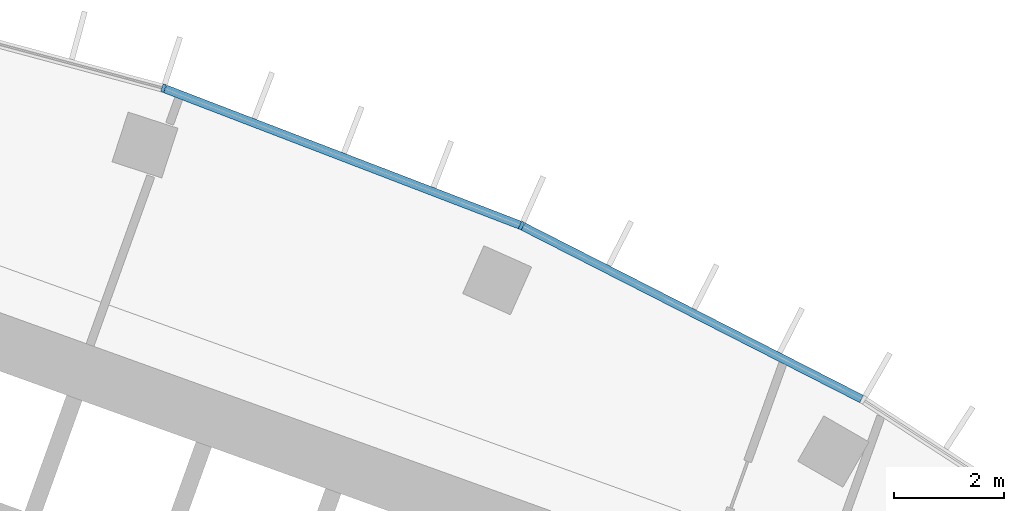
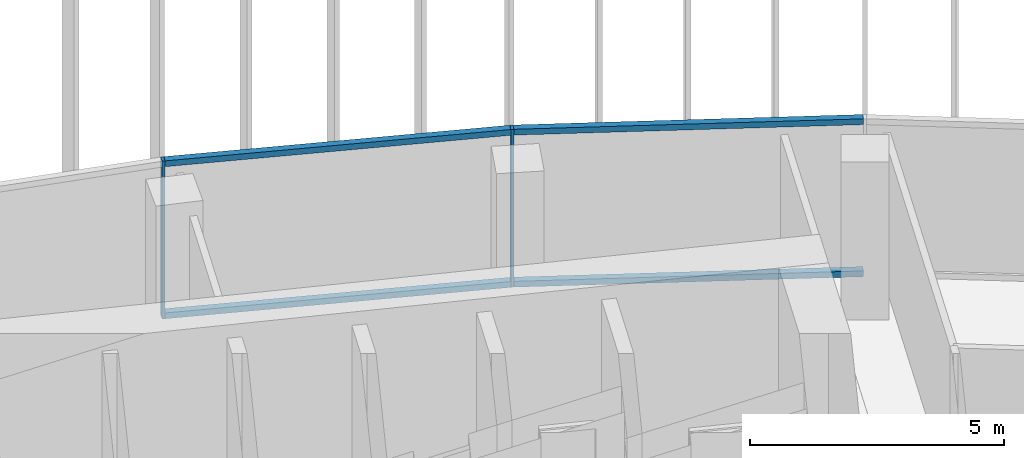
# One storey, part 10 of 19: 6 members, 1 element without a shape of its own.
"""IFC4 building model written with IfcOpenShell, lengths in metres."""

from ifc_helpers import new_model, si_unit, direction, frame, origin, origin_2d, place, context, subcontext, project, spatial, rectangle, extrude, material, layer, layer_set, material_profile, profile_set, type_object, element, aggregate, save


model = new_model("IFC4")

# Units and contexts
model_context = context("Model", 3, precision=1e-05, world=origin(), true_north=direction((0.0, 1.0)))
body_context = subcontext(model_context, "Body", "Model", "MODEL_VIEW")
ifc_project = project(units=[si_unit("LENGTHUNIT", "METRE"), si_unit("AREAUNIT", "SQUARE_METRE"), si_unit("VOLUMEUNIT", "CUBIC_METRE"), si_unit("PLANEANGLEUNIT", "RADIAN"), si_unit("MASSUNIT", "GRAM", prefix="KILO")], contexts=[model_context])

# Site, building, storey
site_placement = place(None, origin())
site = spatial("IfcSite", under=ifc_project, at=site_placement, CompositionType="ELEMENT")
building_placement = place(site_placement, origin())
building = spatial("IfcBuilding", under=site, at=building_placement, Name="Stone Belt Terrace Tower", CompositionType="ELEMENT")
storey_placement = place(building_placement, frame((0.0, 0.0, 223.800048828125)))
storey = spatial("IfcBuildingStorey", under=building, at=storey_placement, Name="L54", CompositionType="ELEMENT", Elevation=223.800048828125)

# Curtain wall, members
ifc_material = material(Name="Aluminium 6063-T6 anodised frame", Category="aluminium")
ifc_layer = layer(ifc_material, 0.14990234375)
ifc_layer_set = layer_set([ifc_layer], Name="CW-A unitised convex-face curtain wall")
curtain_wall_type = type_object("IfcCurtainWallType", Name="CW-A unitised convex-face curtain wall", PredefinedType="NOTDEFINED", material=ifc_layer_set)
curtain_wall_placement = place(storey_placement, origin())
curtain_wall = element("IfcCurtainWall", 1, at=curtain_wall_placement, inside=storey, type_object=curtain_wall_type, Name="CW-A convex face L54", PredefinedType="NOTDEFINED")
ifc_material_profile_1 = material_profile(ifc_material, rectangle(XDim=0.14990234375, YDim=0.06005859375, at=origin_2d()), Name="Aluminium 6063-T6 60x150")
ifc_profile_set_1 = profile_set([ifc_material_profile_1], Name="Aluminium 6063-T6 anodised frame")
member_type_1 = type_object("IfcMemberType", Name="CW-A mullion 60 x 150", PredefinedType="MULLION", material=ifc_profile_set_1)
member_1_placement = place(storey_placement, frame((27.07861328125, 60.8193359375, 0.0), z_axis=(0.0, 0.0, 1.0), x_axis=(-0.406736643076, -0.913545457643, 0.0)))
member_1 = element("IfcMember", 2, at=member_1_placement, type_object=member_type_1, Name="CW-A mullion 5", PredefinedType="MULLION", context=body_context, shape_type="SweptSolid", body=[
    extrude(rectangle(XDim=0.14990234375, YDim=0.06005859375, at=origin_2d()), origin(), (0.0, 0.0, 1.0), 3.800048828125),
])
member_2_placement = place(storey_placement, frame((20.57275390625, 63.316650390625, 0.0), z_axis=(0.0, 0.0, 1.0), x_axis=(-0.309016994375, -0.951056516295, 0.0)))
member_2 = element("IfcMember", 3, at=member_2_placement, type_object=member_type_1, Name="CW-A mullion 6", PredefinedType="MULLION", context=body_context, shape_type="SweptSolid", body=[
    extrude(rectangle(XDim=0.14990234375, YDim=0.06005859375, at=origin_2d()), origin(), (0.0, 0.0, 1.0), 3.800048828125),
])
ifc_material_profile_2 = material_profile(ifc_material, rectangle(XDim=0.14990234375, YDim=0.139892578125, at=origin_2d()), Name="Aluminium 6063-T6 150x140")
ifc_profile_set_2 = profile_set([ifc_material_profile_2], Name="Aluminium 6063-T6 anodised frame")
member_type_2 = type_object("IfcMemberType", Name="CW-A transom 140 x 150", PredefinedType="USERDEFINED", material=ifc_profile_set_2)
member_3_placement = place(storey_placement, frame((33.25732421875, 57.671142578125, 0.070068359375), z_axis=(-0.891012226264, 0.453979308613, 0.0), x_axis=(-0.453979308613, -0.891012226264, 0.0)))
member_3 = element("IfcMember", 4, at=member_3_placement, type_object=member_type_2, Name="CW-A transom 4.1", ObjectType="TRANSOM", PredefinedType="USERDEFINED", context=body_context, shape_type="SweptSolid", body=[
    extrude(rectangle(XDim=0.14990234375, YDim=0.139892578125, at=origin_2d()), origin(), (0.0, 0.0, 1.0), 6.90087890625),
])
member_4_placement = place(storey_placement, frame((33.25732421875, 57.671142578125, 3.72998046875), z_axis=(-0.891012226264, 0.453979308613, 0.0), x_axis=(-0.453979308613, -0.891012226264, 0.0)))
member_4 = element("IfcMember", 5, at=member_4_placement, type_object=member_type_2, Name="CW-A transom 4.2", ObjectType="TRANSOM", PredefinedType="USERDEFINED", context=body_context, shape_type="SweptSolid", body=[
    extrude(rectangle(XDim=0.14990234375, YDim=0.139892578125, at=origin_2d()), origin(), (0.0, 0.0, 1.0), 6.90087890625),
])
member_5_placement = place(storey_placement, frame((27.046875, 60.83154296875, 0.070068359375), z_axis=(-0.933585210269, 0.358355487146, 0.0), x_axis=(-0.358355487146, -0.933585210269, 0.0)))
member_5 = element("IfcMember", 6, at=member_5_placement, type_object=member_type_2, Name="CW-A transom 5.1", ObjectType="TRANSOM", PredefinedType="USERDEFINED", context=body_context, shape_type="SweptSolid", body=[
    extrude(rectangle(XDim=0.14990234375, YDim=0.139892578125, at=origin_2d()), origin(), (0.0, 0.0, 1.0), 6.900634765625),
])
member_6_placement = place(storey_placement, frame((27.046875, 60.83154296875, 3.72998046875), z_axis=(-0.933585210269, 0.358355487146, 0.0), x_axis=(-0.358355487146, -0.933585210269, 0.0)))
member_6 = element("IfcMember", 7, at=member_6_placement, type_object=member_type_2, Name="CW-A transom 5.2", ObjectType="TRANSOM", PredefinedType="USERDEFINED", context=body_context, shape_type="SweptSolid", body=[
    extrude(rectangle(XDim=0.14990234375, YDim=0.139892578125, at=origin_2d()), origin(), (0.0, 0.0, 1.0), 6.900634765625),
])
aggregate(curtain_wall, [member_1, member_2, member_3, member_4, member_5, member_6])

save(model, "model.ifc")
